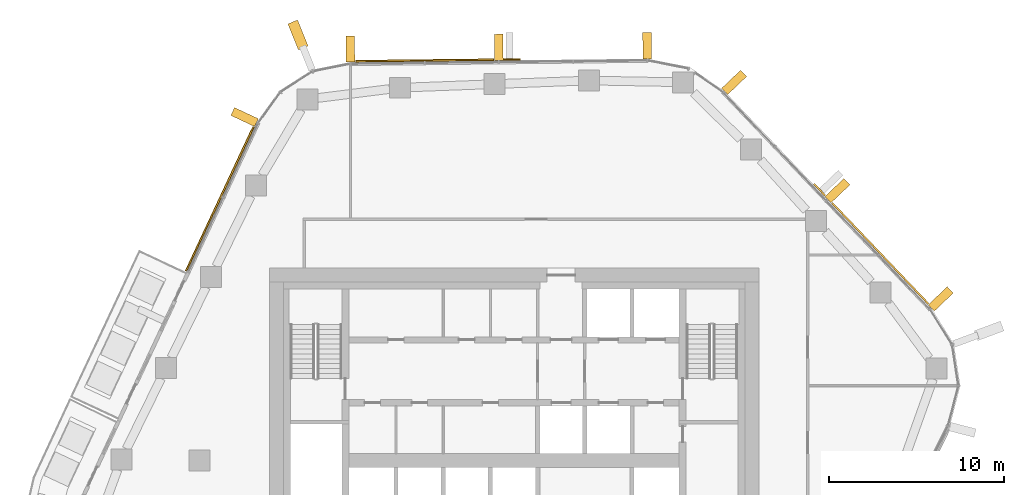
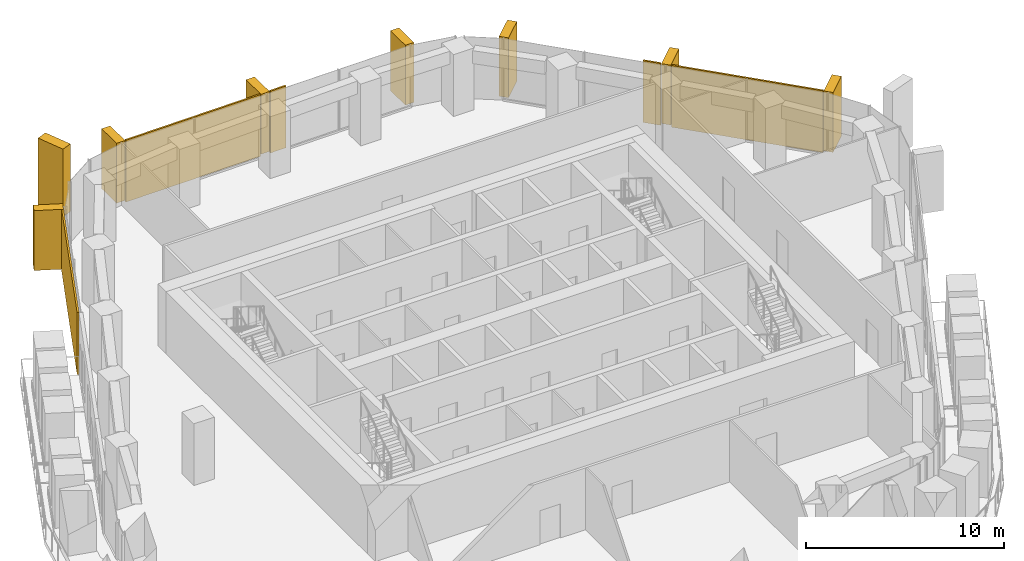
# One storey, part 17 of 17: 13 coverings, 4 elements without a shape of their own.
"""IFC4 building model written with IfcOpenShell, lengths in metres."""

import ifcopenshell
import ifcopenshell.guid

model = None  # the IFC model being written
_history = None  # IfcOwnerHistory: only IFC2X3 demands one
_inside = {}  # id of a spatial element -> (the spatial element, [elements in it])
_under = {}  # id of a project, library or spatial element -> (it, [spatial elements below it])
_declared = {}  # id of a project -> (the project, [libraries it declares])
_typed = {}  # id of a type object -> (the type object, [elements of that type])
_made_of = {}  # id of a material, layer set ... -> (it, [elements and type objects made of it])


def new_model(schema):
    """Start an empty IFC model of exactly this schema.

    Asked for "IFC4X3", IfcOpenShell would pick the latest addendum, in which some entities
    have other attributes; the version numbers below select the first issue.
    IFC2X3 requires an IfcOwnerHistory on every rooted entity: one is made here for all.
    """
    global model, _history
    if schema == "IFC4X3":
        model = ifcopenshell.file(schema_version=(4, 3, 0, 0))
    else:
        model = ifcopenshell.file(schema=schema)
    _inside.clear()
    _under.clear()
    _declared.clear()
    _typed.clear()
    _made_of.clear()
    _history = None
    if model.schema == "IFC2X3":
        org = make("IfcOrganization", Name="unknown")
        user = make(
            "IfcPersonAndOrganization",
            ThePerson=make("IfcPerson", FamilyName="unknown"),
            TheOrganization=org,
        )
        app = make(
            "IfcApplication",
            ApplicationDeveloper=org,
            Version="unknown",
            ApplicationFullName="unknown",
            ApplicationIdentifier="unknown",
        )
        _history = make(
            "IfcOwnerHistory",
            OwningUser=user,
            OwningApplication=app,
            ChangeAction="ADDED",
            CreationDate=0,
        )
    return model


def make(cls, **values):
    """One entity of the class cls with the attributes given. An attribute that is None is left unset."""
    return model.create_entity(
        cls, **{name: value for name, value in values.items() if value is not None}
    )


def rooted(cls, **values):
    """An entity with a GlobalId (a new one), such as an element, a storey or a relation."""
    return make(cls, GlobalId=ifcopenshell.guid.new(), OwnerHistory=_history, **values)


def si_unit(unit_type, name, prefix=None):
    """IfcSIUnit, for example si_unit("LENGTHUNIT", "METRE", prefix="MILLI")."""
    return make("IfcSIUnit", UnitType=unit_type, Prefix=prefix, Name=name)


def assignment(units):
    """IfcUnitAssignment: the units of a project."""
    return None if units is None else make("IfcUnitAssignment", Units=units)


def point(xyz):
    """IfcCartesianPoint."""
    return None if xyz is None else make("IfcCartesianPoint", Coordinates=xyz)


def direction(xyz):
    """IfcDirection."""
    return None if xyz is None else make("IfcDirection", DirectionRatios=xyz)


def frame(location, z_axis=None, x_axis=None):
    """IfcAxis2Placement3D, a coordinate frame: its origin and axes. An axis left out is left unset."""
    return make(
        "IfcAxis2Placement3D",
        Location=point(location),
        Axis=direction(z_axis),
        RefDirection=direction(x_axis),
    )


def frame_2d(location, x_axis=None):
    """IfcAxis2Placement2D, a coordinate frame in the plane: its origin and x axis."""
    return make(
        "IfcAxis2Placement2D", Location=point(location), RefDirection=direction(x_axis)
    )


def origin():
    """The frame at (0, 0, 0) with its axes left unset."""
    return frame((0.0, 0.0, 0.0))


def origin_2d():
    """The frame at (0, 0) in the plane with its x axis left unset."""
    return frame_2d((0.0, 0.0))


def place(relative_to, where):
    """IfcLocalPlacement: puts the frame where relative to a parent placement (None: the world)."""
    return make(
        "IfcLocalPlacement", PlacementRelTo=relative_to, RelativePlacement=where
    )


def context(
    kind, dimensions, precision=None, world=None, true_north=None, identifier=None
):
    """IfcGeometricRepresentationContext, for example the 3D "Model" context."""
    return make(
        "IfcGeometricRepresentationContext",
        ContextIdentifier=identifier,
        ContextType=kind,
        CoordinateSpaceDimension=dimensions,
        Precision=precision,
        WorldCoordinateSystem=world,
        TrueNorth=true_north,
    )


def subcontext(parent, identifier, kind, view, scale=None):
    """IfcGeometricRepresentationSubContext, for example "Body" below "Model"."""
    return make(
        "IfcGeometricRepresentationSubContext",
        ContextIdentifier=identifier,
        ContextType=kind,
        ParentContext=parent,
        TargetScale=scale,
        TargetView=view,
    )


def project(units=None, contexts=None):
    """IfcProject with its units and contexts."""
    return rooted(
        "IfcProject",
        Name="project",
        RepresentationContexts=contexts,
        UnitsInContext=assignment(units),
    )


def spatial(cls, under=None, at=None, **own):
    """A site, building, storey or space (cls), placed at a placement, below another one or the project."""
    s = rooted(cls, ObjectPlacement=at, **own)
    if under is not None:
        _under.setdefault(under.id(), (under, []))[1].append(s)
    return s


def profile(cls, at=None, kind="AREA", **sizes):
    """A parametric profile (cls). Its sizes go by their IFC names, for example OverallWidth=200.0."""
    return make(cls, ProfileType=kind, Position=at, **sizes)


def rectangle(**sizes):
    """IfcRectangleProfileDef."""
    return profile("IfcRectangleProfileDef", **sizes)


def extrude(swept, where, along, depth):
    """IfcExtrudedAreaSolid: the profile swept, set in the frame where, extruded along a direction by depth."""
    return make(
        "IfcExtrudedAreaSolid",
        SweptArea=swept,
        Position=where,
        ExtrudedDirection=direction(along),
        Depth=depth,
    )


def shape(context_of_items, identifier, shape_type, items):
    """IfcShapeRepresentation: the items that make up one representation, for example the "Body"."""
    return make(
        "IfcShapeRepresentation",
        ContextOfItems=context_of_items,
        RepresentationIdentifier=identifier,
        RepresentationType=shape_type,
        Items=items,
    )


def material(Name=None, Category=None):
    """IfcMaterial."""
    return make("IfcMaterial", Name=Name, Category=Category)


def layer(
    of_material, thickness, ventilated=None, Name=None, Category=None, Priority=None
):
    """IfcMaterialLayer: one layer of a wall or slab, of a material (None: an air gap)."""
    return make(
        "IfcMaterialLayer",
        Material=of_material,
        LayerThickness=thickness,
        IsVentilated=ventilated,
        Name=Name,
        Category=Category,
        Priority=Priority,
    )


def layer_set(layers, Name=None):
    """IfcMaterialLayerSet."""
    return make("IfcMaterialLayerSet", MaterialLayers=layers, LayerSetName=Name)


def material_profile(
    of_material, cross_section, Name=None, Category=None, Priority=None
):
    """IfcMaterialProfile: a cross section and its material."""
    return make(
        "IfcMaterialProfile",
        Name=Name,
        Material=of_material,
        Profile=cross_section,
        Priority=Priority,
        Category=Category,
    )


def profile_set(profiles, Name=None, composite=None):
    """IfcMaterialProfileSet."""
    return make(
        "IfcMaterialProfileSet",
        Name=Name,
        MaterialProfiles=profiles,
        CompositeProfile=composite,
    )


def made_of(thing, what):
    """Note that an element or type object is made of a material, layer set ...; save() writes the relation."""
    if what is not None:
        _made_of.setdefault(what.id(), (what, []))[1].append(thing)
    return thing


def type_object(cls, material=None, **own):
    """A type object (cls), such as IfcWallType, which elements share."""
    return made_of(rooted(cls, **own), material)


def element(
    cls,
    number,
    at=None,
    inside=None,
    cuts=None,
    type_object=None,
    material=None,
    context=None,
    identifier="Body",
    shape_type=None,
    held_by="IfcProductDefinitionShape",
    body=None,
    shapes=None,
    **own,
):
    """One element of the class cls, such as IfcWall. Its Tag is "e" and its number.

    at: its placement. inside: the storey or other place that contains it. cuts: it is an
    opening in that element (IfcRelVoidsElement). A single representation is given by context,
    identifier, shape_type and body (its items); several are given by shapes. held_by: the class
    of the entity that holds the representations. save() writes the other relations.
    """
    e = rooted(cls, Tag="e%d" % number, ObjectPlacement=at, **own)
    if body is not None:
        shapes = [shape(context, identifier, shape_type, body)]
    if shapes is not None:
        e.Representation = make(held_by, Representations=shapes)
    if inside is not None:
        _inside.setdefault(inside.id(), (inside, []))[1].append(e)
    if cuts is not None:
        rooted(
            "IfcRelVoidsElement", RelatingBuildingElement=cuts, RelatedOpeningElement=e
        )
    if type_object is not None:
        _typed.setdefault(type_object.id(), (type_object, []))[1].append(e)
    return made_of(e, material)


def aggregate(whole, parts):
    """IfcRelAggregates: a whole, such as a stair, and the parts it consists of."""
    return rooted("IfcRelAggregates", RelatingObject=whole, RelatedObjects=parts)


def save(model, path):
    """Write the relations noted so far, then the file.

    IfcRelAggregates (storeys below a building ...), IfcRelContainedInSpatialStructure (elements
    in a storey), IfcRelDefinesByType, IfcRelAssociatesMaterial and IfcRelDeclares: one each for
    every whole, place, type object, material and project.
    """
    for whole, parts in _under.values():
        aggregate(whole, parts)
    for where, things in _inside.values():
        rooted(
            "IfcRelContainedInSpatialStructure",
            RelatedElements=things,
            RelatingStructure=where,
        )
    for kind, things in _typed.values():
        rooted("IfcRelDefinesByType", RelatedObjects=things, RelatingType=kind)
    for what, things in _made_of.values():
        rooted("IfcRelAssociatesMaterial", RelatedObjects=things, RelatingMaterial=what)
    for by, libraries in _declared.values():
        rooted("IfcRelDeclares", RelatingContext=by, RelatedDefinitions=libraries)
    model.write(path)


model = new_model("IFC4")

# Units and contexts
model_context = context("Model", 3, precision=1e-05, world=origin(), true_north=direction((0.0, 1.0)))
body_context = subcontext(model_context, "Body", "Model", "MODEL_VIEW")
ifc_project = project(units=[si_unit("LENGTHUNIT", "METRE"), si_unit("AREAUNIT", "SQUARE_METRE"), si_unit("VOLUMEUNIT", "CUBIC_METRE"), si_unit("PLANEANGLEUNIT", "RADIAN"), si_unit("MASSUNIT", "GRAM", prefix="KILO")], contexts=[model_context])

# Site, building, storey
site_placement = place(None, origin())
site = spatial("IfcSite", under=ifc_project, at=site_placement, CompositionType="ELEMENT")
building_placement = place(site_placement, origin())
building = spatial("IfcBuilding", under=site, at=building_placement, Name="Dongbaek Canopy Tower", CompositionType="ELEMENT")
storey_placement = place(building_placement, frame((0.0, 0.0, 211.39990234375)))
storey = spatial("IfcBuildingStorey", under=building, at=storey_placement, Name="L44", CompositionType="ELEMENT", Elevation=211.39990234375)

# Curtain wall, covering
ifc_material_1 = material(Name="Aluminium 6063-T6 pale anodised", Category="aluminium")
ifc_layer_1 = layer(ifc_material_1, 0.199951171875)
ifc_layer_set_1 = layer_set([ifc_layer_1], Name="CW-1 unitised tower curtain wall")
curtain_wall_type = type_object("IfcCurtainWallType", Name="CW-1 unitised tower curtain wall", PredefinedType="NOTDEFINED", material=ifc_layer_set_1)
curtain_wall_1_placement = place(storey_placement, origin())
curtain_wall_1 = element("IfcCurtainWall", 1, at=curtain_wall_1_placement, inside=storey, type_object=curtain_wall_type, Name="CW-1 curtain wall K2.1", PredefinedType="NOTDEFINED")
ifc_material_2 = material(Name="Aluminium 6063-T6 pale metal fin", Category="aluminium")
ifc_material_profile_1 = material_profile(ifc_material_2, rectangle(XDim=1.60009765625, YDim=0.60009765625, at=origin_2d()), Name="Corner fin CN1 600 x 1600 pale metal")
ifc_profile_set_1 = profile_set([ifc_material_profile_1], Name="Aluminium 6063-T6 pale metal fin")
covering_type_1 = type_object("IfcCoveringType", Name="Corner fin CN1 600 x 1600 pale metal", PredefinedType="CLADDING", material=ifc_profile_set_1)
covering_1_placement = place(storey_placement, frame((-12.359619140625, 24.343994140625, -0.18994140625), z_axis=(0.0, 0.0, 1.0), x_axis=(-0.375532040496, 0.92680941221, 0.0)))
covering_1 = element("IfcCovering", 2, at=covering_1_placement, type_object=covering_type_1, Name="Corner fin L44 L44 K2", PredefinedType="CLADDING", context=body_context, shape_type="SweptSolid", body=[
    extrude(rectangle(XDim=1.60009765625, YDim=0.60009765625, at=origin_2d()), origin(), (0.0, 0.0, 1.0), 4.179931640625),
])
aggregate(curtain_wall_1, [covering_1])

# Curtain wall, coverings
curtain_wall_2_placement = place(storey_placement, origin())
curtain_wall_2 = element("IfcCurtainWall", 3, at=curtain_wall_2_placement, inside=storey, type_object=curtain_wall_type, Name="CW-1 curtain wall F0.1", PredefinedType="NOTDEFINED")
ifc_material_3 = material(Name="Perforated aluminium 6063-T6 pale metal screen", Category="aluminium")
ifc_layer_2 = layer(ifc_material_3, 0.10009765625)
ifc_layer_set_2 = layer_set([ifc_layer_2], Name="Facet screen FS1 100 pale metal")
covering_type_2 = type_object("IfcCoveringType", Name="Facet screen FS1 100 pale metal", PredefinedType="CLADDING", material=ifc_layer_set_2)
covering_2_placement = place(storey_placement, frame((20.94775390625, 11.853515625, 0.0), z_axis=(0.0, 0.0, 1.0), x_axis=(-0.690249977366, 0.723570983903, 0.0)))
covering_2 = element("IfcCovering", 4, at=covering_2_placement, type_object=covering_type_2, Name="Facet screen L44 F0", PredefinedType="CLADDING", context=body_context, shape_type="SweptSolid", body=[
    extrude(rectangle(XDim=7.980712890625, YDim=0.10009765625, at=origin_2d()), origin(), (0.0, 0.0, 1.0), 3.820068359375),
])
covering_3_placement = place(storey_placement, frame((17.473876953125, 15.4951171875, 0.0), z_axis=(0.0, 0.0, 1.0), x_axis=(-0.690249977366, 0.723570983903, 0.0)))
covering_3 = element("IfcCovering", 5, at=covering_3_placement, type_object=covering_type_2, Name="Facet screen L44 F0", PredefinedType="CLADDING", context=body_context, shape_type="SweptSolid", body=[
    extrude(rectangle(XDim=0.924560546875, YDim=0.10009765625, at=origin_2d()), origin(), (0.0, 0.0, 1.0), 3.820068359375),
])

curtain_wall_3_placement = place(storey_placement, origin())
curtain_wall_3 = element("IfcCurtainWall", 6, at=curtain_wall_3_placement, inside=storey, type_object=curtain_wall_type, Name="CW-1 curtain wall F1.1", PredefinedType="NOTDEFINED")
covering_4_placement = place(storey_placement, frame((-0.113037109375, 22.938720703125, 0.0), z_axis=(0.0, 0.0, 1.0), x_axis=(-0.999938566605, -0.011084359091, 0.0)))
covering_4 = element("IfcCovering", 7, at=covering_4_placement, type_object=covering_type_2, Name="Facet screen L44 F1", PredefinedType="CLADDING", context=body_context, shape_type="SweptSolid", body=[
    extrude(rectangle(XDim=0.924560546875, YDim=0.10009765625, at=origin_2d()), origin(), (0.0, 0.0, 1.0), 3.820068359375),
])
covering_5_placement = place(storey_placement, frame((-5.11083984375, 22.88330078125, 0.0), z_axis=(0.0, 0.0, 1.0), x_axis=(-0.999938566605, -0.011084359091, 0.0)))
covering_5 = element("IfcCovering", 8, at=covering_5_placement, type_object=covering_type_2, Name="Facet screen L44 F1", PredefinedType="CLADDING", context=body_context, shape_type="SweptSolid", body=[
    extrude(rectangle(XDim=7.911865234375, YDim=0.10009765625, at=origin_2d()), origin(), (0.0, 0.0, 1.0), 3.820068359375),
])

# Curtain wall, covering
curtain_wall_4_placement = place(storey_placement, origin())
curtain_wall_4 = element("IfcCurtainWall", 9, at=curtain_wall_4_placement, inside=storey, type_object=curtain_wall_type, Name="CW-1 curtain wall F2.1", PredefinedType="NOTDEFINED")
covering_6_placement = place(storey_placement, frame((-16.831298828125, 14.963134765625, 0.0), z_axis=(0.0, 0.0, 1.0), x_axis=(-0.424177295399, -0.905579163888, 0.0)))
covering_6 = element("IfcCovering", 10, at=covering_6_placement, type_object=covering_type_2, Name="Facet screen L44 F2", PredefinedType="CLADDING", context=body_context, shape_type="SweptSolid", body=[
    extrude(rectangle(XDim=9.101318359375, YDim=0.10009765625, at=origin_2d()), origin(), (0.0, 0.0, 1.0), 3.820068359375),
])

# Covering
ifc_material_4 = material(Name="Aluminium 6063-T6 pale metal fin", Category="aluminium")
ifc_material_profile_2 = material_profile(ifc_material_4, rectangle(XDim=1.5, YDim=0.5, at=origin_2d()), Name="Fin FN1 500 x 1500 pale metal")
ifc_profile_set_2 = profile_set([ifc_material_profile_2], Name="Aluminium 6063-T6 pale metal fin")
covering_type_3 = type_object("IfcCoveringType", Name="Fin FN1 500 x 1500 pale metal", PredefinedType="CLADDING", material=ifc_profile_set_2)
covering_7_placement = place(storey_placement, frame((24.41162109375, 9.2421875, 0.1201171875), z_axis=(0.0, 0.0, 1.0), x_axis=(0.723570657173, 0.690250319869, 0.0)))
covering_7 = element("IfcCovering", 11, at=covering_7_placement, type_object=covering_type_3, Name="Fin F0.1.1", PredefinedType="CLADDING", context=body_context, shape_type="SweptSolid", body=[
    extrude(rectangle(XDim=1.5, YDim=0.5, at=origin_2d()), origin(), (0.0, 0.0, 1.0), 3.699951171875),
])

covering_8_placement = place(storey_placement, frame((18.502685546875, 15.4365234375, 0.1201171875), z_axis=(0.0, 0.0, 1.0), x_axis=(0.723570657173, 0.690250319869, 0.0)))
covering_8 = element("IfcCovering", 12, at=covering_8_placement, type_object=covering_type_3, Name="Fin F0.1.3", PredefinedType="CLADDING", context=body_context, shape_type="SweptSolid", body=[
    extrude(rectangle(XDim=1.5, YDim=0.5, at=origin_2d()), origin(), (0.0, 0.0, 1.0), 3.699951171875),
])

covering_9_placement = place(storey_placement, frame((12.593505859375, 21.630859375, 0.1201171875), z_axis=(0.0, 0.0, 1.0), x_axis=(0.723570657173, 0.690250319869, 0.0)))
covering_9 = element("IfcCovering", 13, at=covering_9_placement, type_object=covering_type_3, Name="Fin F0.1.5", PredefinedType="CLADDING", context=body_context, shape_type="SweptSolid", body=[
    extrude(rectangle(XDim=1.5, YDim=0.5, at=origin_2d()), origin(), (0.0, 0.0, 1.0), 3.699951171875),
])

aggregate(curtain_wall_2, [covering_7, covering_8, covering_9, covering_2, covering_3])

covering_10_placement = place(storey_placement, frame((7.6171875, 23.728515625, 0.1201171875), z_axis=(0.0, 0.0, 1.0), x_axis=(-0.011084623841, 0.99993856367, 0.0)))
covering_10 = element("IfcCovering", 14, at=covering_10_placement, type_object=covering_type_3, Name="Fin F1.1.1", PredefinedType="CLADDING", context=body_context, shape_type="SweptSolid", body=[
    extrude(rectangle(XDim=1.5, YDim=0.5, at=origin_2d()), origin(), (0.0, 0.0, 1.0), 3.699951171875),
])

covering_11_placement = place(storey_placement, frame((-0.873046875, 23.634521484375, 0.1201171875), z_axis=(0.0, 0.0, 1.0), x_axis=(-0.011084623841, 0.99993856367, 0.0)))
covering_11 = element("IfcCovering", 15, at=covering_11_placement, type_object=covering_type_3, Name="Fin F1.1.3", PredefinedType="CLADDING", context=body_context, shape_type="SweptSolid", body=[
    extrude(rectangle(XDim=1.5, YDim=0.5, at=origin_2d()), origin(), (0.0, 0.0, 1.0), 3.699951171875),
])

covering_12_placement = place(storey_placement, frame((-9.364501953125, 23.540283203125, 0.1201171875), z_axis=(0.0, 0.0, 1.0), x_axis=(-0.011084623841, 0.99993856367, 0.0)))
covering_12 = element("IfcCovering", 16, at=covering_12_placement, type_object=covering_type_3, Name="Fin F1.1.5", PredefinedType="CLADDING", context=body_context, shape_type="SweptSolid", body=[
    extrude(rectangle(XDim=1.5, YDim=0.5, at=origin_2d()), origin(), (0.0, 0.0, 1.0), 3.699951171875),
])

aggregate(curtain_wall_3, [covering_10, covering_11, covering_12, covering_4, covering_5])

covering_13_placement = place(storey_placement, frame((-15.41552734375, 19.645263671875, 0.1201171875), z_axis=(0.0, 0.0, 1.0), x_axis=(-0.905579112169, 0.424177405815, 0.0)))
covering_13 = element("IfcCovering", 17, at=covering_13_placement, type_object=covering_type_3, Name="Fin F2.1.1", PredefinedType="CLADDING", context=body_context, shape_type="SweptSolid", body=[
    extrude(rectangle(XDim=1.5, YDim=0.5, at=origin_2d()), origin(), (0.0, 0.0, 1.0), 3.699951171875),
])

aggregate(curtain_wall_4, [covering_13, covering_6])

save(model, "model.ifc")
